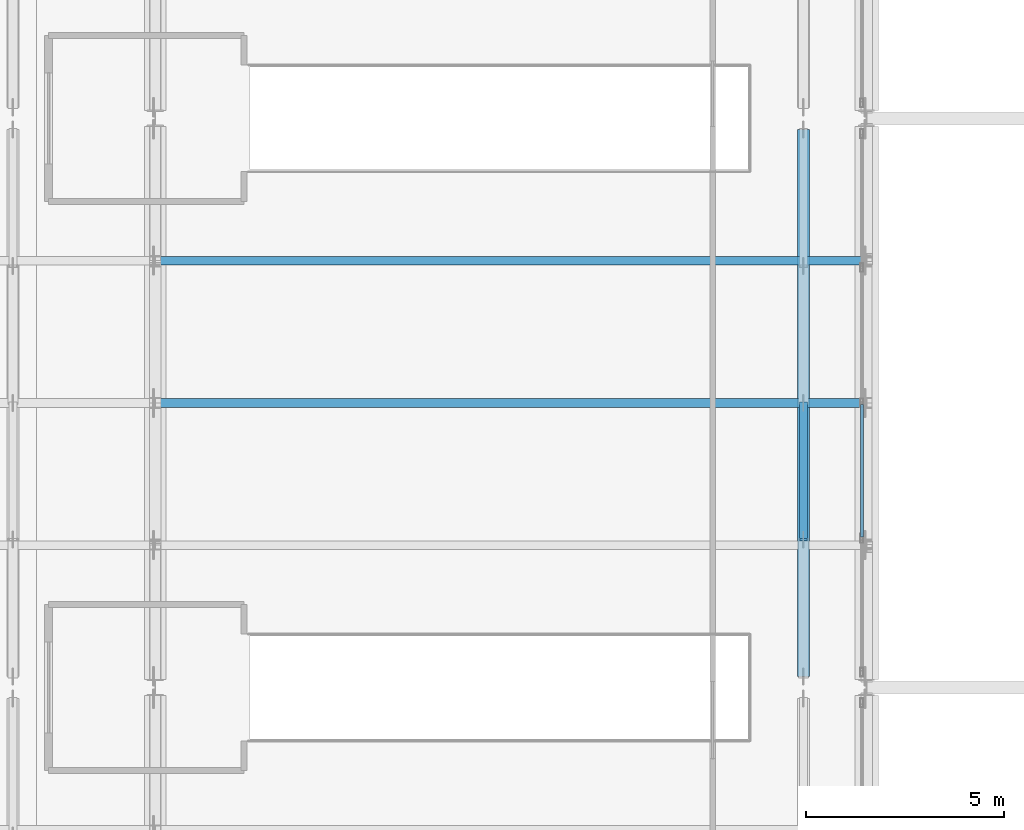
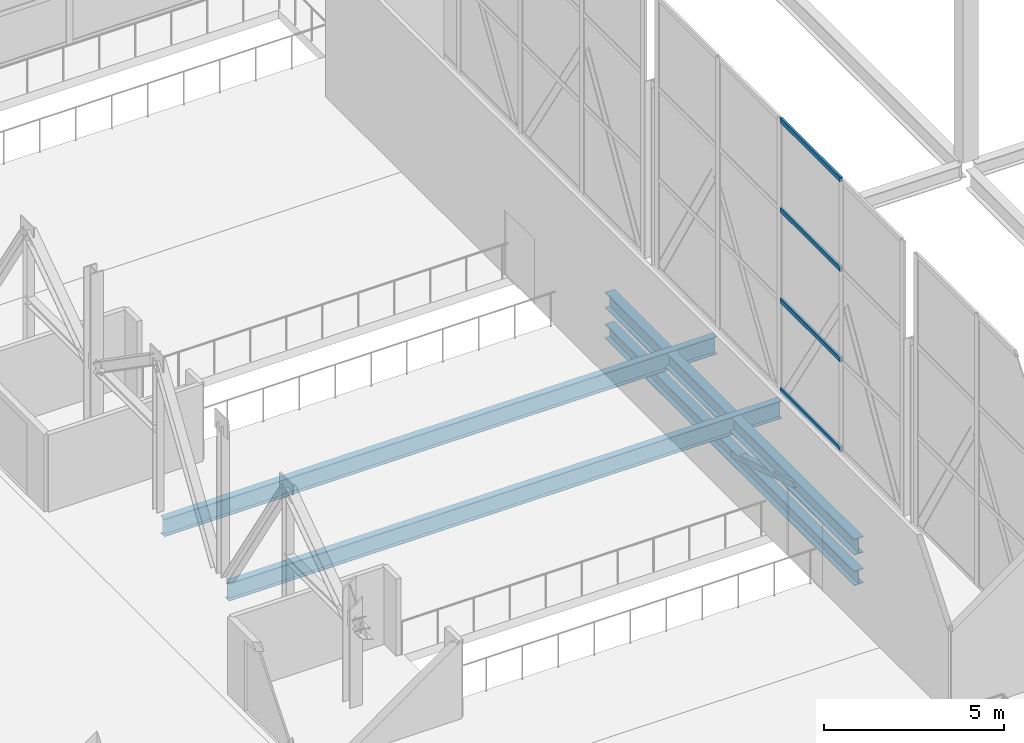
# One storey, part 61 of 191: 5 members, 4 beams, 1 element without a shape of its own.
"""IFC4 building model written with IfcOpenShell, lengths in metres."""

from ifc_helpers import new_model, si_unit, direction, frame, origin, origin_2d, place, context, subcontext, project, spatial, hollow_rectangle, i_section, extrude, material, layer, layer_set, material_profile, profile_set, type_object, element, aggregate, save


model = new_model("IFC4")

# Units and contexts
model_context = context("Model", 3, precision=1e-05, world=origin(), true_north=direction((0.0, 1.0)))
body_context = subcontext(model_context, "Body", "Model", "MODEL_VIEW")
ifc_project = project(units=[si_unit("LENGTHUNIT", "METRE"), si_unit("AREAUNIT", "SQUARE_METRE"), si_unit("VOLUMEUNIT", "CUBIC_METRE"), si_unit("PLANEANGLEUNIT", "RADIAN"), si_unit("MASSUNIT", "GRAM", prefix="KILO")], contexts=[model_context])

# Site, building, storey
site_placement = place(None, origin())
site = spatial("IfcSite", under=ifc_project, at=site_placement, CompositionType="ELEMENT")
building_placement = place(site_placement, origin())
building = spatial("IfcBuilding", under=site, at=building_placement, Name="Tamarisk Ironworks Central Station", CompositionType="ELEMENT")
storey_placement = place(building_placement, frame((0.0, 0.0, 6.60009765625)))
storey = spatial("IfcBuildingStorey", under=building, at=storey_placement, Name="L01", CompositionType="ELEMENT", Elevation=6.60009765625)

# Beams
ifc_material_1 = material(Name="Structural steel S355J2", Category="steel")
ifc_material_profile_1 = material_profile(ifc_material_1, i_section(OverallWidth=0.219970703125, OverallDepth=0.60009765625, WebThickness=0.011962890625, FlangeThickness=0.01904296875, at=origin_2d()), Name="IPE 600")
ifc_profile_set_1 = profile_set([ifc_material_profile_1], Name="Structural steel S355J2")
beam_type_1 = type_object("IfcBeamType", Name="BM-B01", PredefinedType="BEAM", material=ifc_profile_set_1)
for number, where, z_axis, x_axis, name in (
    (1, (90.135009765625, 43.199951171875, -0.60009765625), (1.0, 0.0, 0.0), (0.0, 1.0, 0.0), "L01 secondary composite beam 0036"),
    (2, (90.135009765625, 46.800048828125, -0.60009765625), (1.0, 0.0, 0.0), (0.0, 1.0, 0.0), "L01 secondary composite beam 0037"),
):
    element("IfcBeam", number, at=place(storey_placement, frame(where, z_axis=z_axis, x_axis=x_axis)), inside=storey, type_object=beam_type_1, Name=name, PredefinedType="BEAM", context=body_context, shape_type="SweptSolid", body=[
        extrude(i_section(OverallWidth=0.219970703125, OverallDepth=0.60009765625, WebThickness=0.011962890625, FlangeThickness=0.01904296875, at=origin_2d()), origin(), (0.0, 0.0, 1.0), 17.72998046875),
    ])
ifc_material_profile_2 = material_profile(ifc_material_1, i_section(OverallWidth=0.300048828125, OverallDepth=0.5400390625, WebThickness=0.012451171875, FlangeThickness=0.02392578125, at=origin_2d()), Name="HEA 550")
ifc_profile_set_2 = profile_set([ifc_material_profile_2], Name="Structural steel S355J2")
beam_type_2 = type_object("IfcBeamType", Name="BM-G04", PredefinedType="BEAM", material=ifc_profile_set_2)
beam_1_placement = place(storey_placement, frame((106.39990234375, 36.280029296875, -0.580078125), z_axis=(0.0, 1.0, 0.0), x_axis=(-1.0, 0.0, 0.0)))
element("IfcBeam", 3, at=beam_1_placement, inside=storey, type_object=beam_type_2, Name="Bridge deck transfer stiffening chord 192", PredefinedType="BEAM", context=body_context, shape_type="SweptSolid", body=[
    extrude(i_section(OverallWidth=0.300048828125, OverallDepth=0.5400390625, WebThickness=0.012451171875, FlangeThickness=0.02392578125, at=origin_2d()), origin(), (0.0, 0.0, 1.0), 13.840087890625),
])
ifc_material_profile_3 = material_profile(ifc_material_1, i_section(OverallWidth=0.300048828125, OverallDepth=0.489990234375, WebThickness=0.011962890625, FlangeThickness=0.02294921875, at=origin_2d()), Name="HEA 500")
ifc_profile_set_3 = profile_set([ifc_material_profile_3], Name="Structural steel S355J2")
beam_type_3 = type_object("IfcBeamType", Name="BM-G05", PredefinedType="BEAM", material=ifc_profile_set_3)
beam_2_placement = place(storey_placement, frame((106.39990234375, 36.280029296875, -1.64013671875), z_axis=(0.0, 1.0, 0.0), x_axis=(-1.0, 0.0, 0.0)))
element("IfcBeam", 4, at=beam_2_placement, inside=storey, type_object=beam_type_3, Name="Bridge deck transfer stiffening chord 191", PredefinedType="BEAM", context=body_context, shape_type="SweptSolid", body=[
    extrude(i_section(OverallWidth=0.300048828125, OverallDepth=0.489990234375, WebThickness=0.011962890625, FlangeThickness=0.02294921875, at=origin_2d()), origin(), (0.0, 0.0, 1.0), 13.840087890625),
])

# Curtain wall, members
ifc_material_2 = material(Name="Anodized aluminium alloy 6063-T6", Category="aluminium")
ifc_layer = layer(ifc_material_2, 0.179931640625)
ifc_layer_set = layer_set([ifc_layer], Name="Anodized aluminium alloy 6063-T6")
curtain_wall_type = type_object("IfcCurtainWallType", Name="CW-06", PredefinedType="USERDEFINED", material=ifc_layer_set)
curtain_wall_placement = place(storey_placement, origin())
curtain_wall = element("IfcCurtainWall", 5, at=curtain_wall_placement, inside=storey, type_object=curtain_wall_type, Name="Concourse E track-overlook curtain wall 03", ObjectType="GLAZED CURTAIN WALL", PredefinedType="USERDEFINED")
ifc_material_profile_4 = material_profile(ifc_material_2, hollow_rectangle(XDim=0.074951171875, YDim=0.159912109375, WallThickness=0.00390625, at=origin_2d()), Name="ALUM 160x75")
ifc_profile_set_4 = profile_set([ifc_material_profile_4], Name="Anodized aluminium alloy 6063-T6")
member_type_1 = type_object("IfcMemberType", Name="CWT-01", PredefinedType="USERDEFINED", material=ifc_profile_set_4)
member_1_placement = place(storey_placement, frame((107.8798828125, 39.80859375, 0.037353515625), z_axis=(0.0, 1.0, 0.0), x_axis=(-1.0, 0.0, 0.0)))
member_1 = element("IfcMember", 6, at=member_1_placement, type_object=member_type_1, Name="CW06 transom 2.1", ObjectType="TRANSOM", PredefinedType="USERDEFINED", context=body_context, shape_type="SweptSolid", body=[
    extrude(hollow_rectangle(XDim=0.074951171875, YDim=0.159912109375, WallThickness=0.00390625, at=origin_2d()), origin(), (0.0, 0.0, 1.0), 3.35791015625),
])
member_2_placement = place(storey_placement, frame((107.8798828125, 39.80859375, 3.0732421875), z_axis=(0.0, 1.0, 0.0), x_axis=(-1.0, 0.0, 0.0)))
member_2 = element("IfcMember", 7, at=member_2_placement, type_object=member_type_1, Name="CW06 transom 2.2", ObjectType="TRANSOM", PredefinedType="USERDEFINED", context=body_context, shape_type="SweptSolid", body=[
    extrude(hollow_rectangle(XDim=0.074951171875, YDim=0.159912109375, WallThickness=0.00390625, at=origin_2d()), origin(), (0.0, 0.0, 1.0), 3.35791015625),
])
member_3_placement = place(storey_placement, frame((107.8798828125, 39.80859375, 6.146484375), z_axis=(0.0, 1.0, 0.0), x_axis=(-1.0, 0.0, 0.0)))
member_3 = element("IfcMember", 8, at=member_3_placement, type_object=member_type_1, Name="CW06 transom 2.3", ObjectType="TRANSOM", PredefinedType="USERDEFINED", context=body_context, shape_type="SweptSolid", body=[
    extrude(hollow_rectangle(XDim=0.074951171875, YDim=0.159912109375, WallThickness=0.00390625, at=origin_2d()), origin(), (0.0, 0.0, 1.0), 3.35791015625),
])
member_4_placement = place(storey_placement, frame((107.8798828125, 39.80859375, 9.182373046875), z_axis=(0.0, 1.0, 0.0), x_axis=(-1.0, 0.0, 0.0)))
member_4 = element("IfcMember", 9, at=member_4_placement, type_object=member_type_1, Name="CW06 transom 2.4", ObjectType="TRANSOM", PredefinedType="USERDEFINED", context=body_context, shape_type="SweptSolid", body=[
    extrude(hollow_rectangle(XDim=0.074951171875, YDim=0.159912109375, WallThickness=0.00390625, at=origin_2d()), origin(), (0.0, 0.0, 1.0), 3.35791015625),
])
aggregate(curtain_wall, [member_1, member_2, member_3, member_4])

# Member
ifc_material_3 = material(Name="Structural steel S355J2H", Category="steel")
ifc_material_profile_5 = material_profile(ifc_material_3, hollow_rectangle(XDim=0.199951171875, YDim=0.199951171875, WallThickness=0.010009765625, at=origin_2d()), Name="SHS 200x200x10")
ifc_profile_set_5 = profile_set([ifc_material_profile_5], Name="Structural steel S355J2H")
member_type_2 = type_object("IfcMemberType", Name="MB-BR02", PredefinedType="BRACE", material=ifc_profile_set_5)
member_5_placement = place(storey_placement, frame((106.39990234375, 39.739990234375, -0.580078125), z_axis=(0.0, 0.956131332595, -0.292938346467), x_axis=(-1.0, 0.0, 0.0)))
element("IfcMember", 10, at=member_5_placement, inside=storey, type_object=member_type_2, Name="Bridge deck stiffening web brace 194", PredefinedType="BRACE", context=body_context, shape_type="SweptSolid", body=[
    extrude(hollow_rectangle(XDim=0.199951171875, YDim=0.199951171875, WallThickness=0.010009765625, at=origin_2d()), origin(), (0.0, 0.0, 1.0), 3.61865234375),
])

save(model, "model.ifc")
